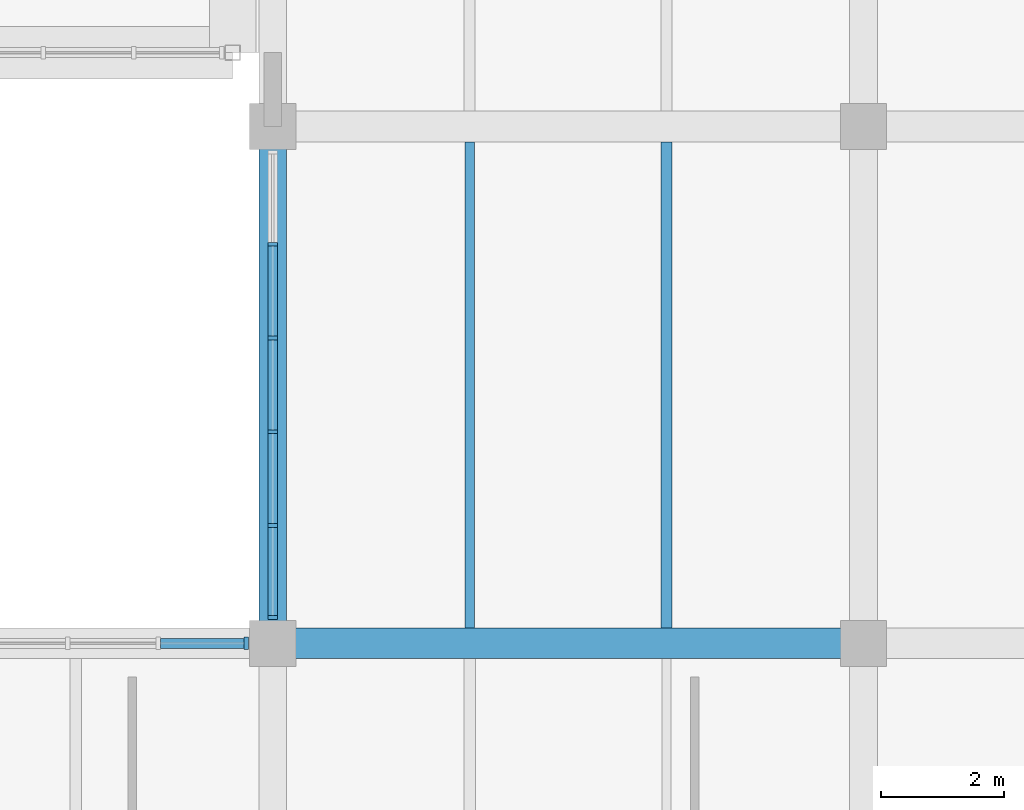
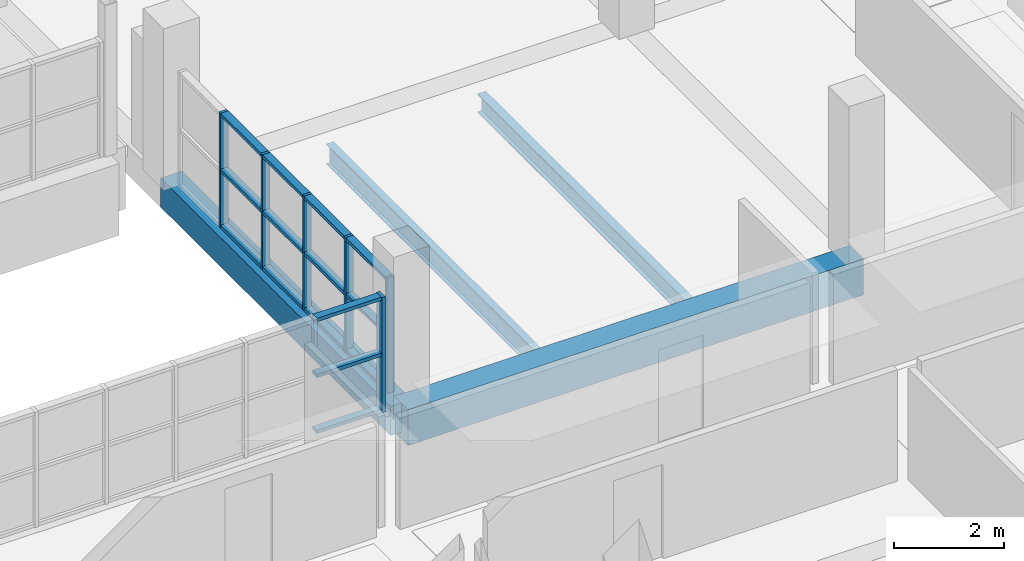
# One storey, part 56 of 147: 21 members, 4 beams, 2 elements without a shape of their own.
"""IFC4 building model written with IfcOpenShell, lengths in metres."""

import ifcopenshell
import ifcopenshell.guid

model = None  # the IFC model being written
_history = None  # IfcOwnerHistory: only IFC2X3 demands one
_inside = {}  # id of a spatial element -> (the spatial element, [elements in it])
_under = {}  # id of a project, library or spatial element -> (it, [spatial elements below it])
_declared = {}  # id of a project -> (the project, [libraries it declares])
_typed = {}  # id of a type object -> (the type object, [elements of that type])
_made_of = {}  # id of a material, layer set ... -> (it, [elements and type objects made of it])


def new_model(schema):
    """Start an empty IFC model of exactly this schema.

    Asked for "IFC4X3", IfcOpenShell would pick the latest addendum, in which some entities
    have other attributes; the version numbers below select the first issue.
    IFC2X3 requires an IfcOwnerHistory on every rooted entity: one is made here for all.
    """
    global model, _history
    if schema == "IFC4X3":
        model = ifcopenshell.file(schema_version=(4, 3, 0, 0))
    else:
        model = ifcopenshell.file(schema=schema)
    _inside.clear()
    _under.clear()
    _declared.clear()
    _typed.clear()
    _made_of.clear()
    _history = None
    if model.schema == "IFC2X3":
        org = make("IfcOrganization", Name="unknown")
        user = make(
            "IfcPersonAndOrganization",
            ThePerson=make("IfcPerson", FamilyName="unknown"),
            TheOrganization=org,
        )
        app = make(
            "IfcApplication",
            ApplicationDeveloper=org,
            Version="unknown",
            ApplicationFullName="unknown",
            ApplicationIdentifier="unknown",
        )
        _history = make(
            "IfcOwnerHistory",
            OwningUser=user,
            OwningApplication=app,
            ChangeAction="ADDED",
            CreationDate=0,
        )
    return model


def make(cls, **values):
    """One entity of the class cls with the attributes given. An attribute that is None is left unset."""
    return model.create_entity(
        cls, **{name: value for name, value in values.items() if value is not None}
    )


def rooted(cls, **values):
    """An entity with a GlobalId (a new one), such as an element, a storey or a relation."""
    return make(cls, GlobalId=ifcopenshell.guid.new(), OwnerHistory=_history, **values)


def si_unit(unit_type, name, prefix=None):
    """IfcSIUnit, for example si_unit("LENGTHUNIT", "METRE", prefix="MILLI")."""
    return make("IfcSIUnit", UnitType=unit_type, Prefix=prefix, Name=name)


def assignment(units):
    """IfcUnitAssignment: the units of a project."""
    return None if units is None else make("IfcUnitAssignment", Units=units)


def point(xyz):
    """IfcCartesianPoint."""
    return None if xyz is None else make("IfcCartesianPoint", Coordinates=xyz)


def direction(xyz):
    """IfcDirection."""
    return None if xyz is None else make("IfcDirection", DirectionRatios=xyz)


def frame(location, z_axis=None, x_axis=None):
    """IfcAxis2Placement3D, a coordinate frame: its origin and axes. An axis left out is left unset."""
    return make(
        "IfcAxis2Placement3D",
        Location=point(location),
        Axis=direction(z_axis),
        RefDirection=direction(x_axis),
    )


def frame_2d(location, x_axis=None):
    """IfcAxis2Placement2D, a coordinate frame in the plane: its origin and x axis."""
    return make(
        "IfcAxis2Placement2D", Location=point(location), RefDirection=direction(x_axis)
    )


def origin():
    """The frame at (0, 0, 0) with its axes left unset."""
    return frame((0.0, 0.0, 0.0))


def origin_2d():
    """The frame at (0, 0) in the plane with its x axis left unset."""
    return frame_2d((0.0, 0.0))


def place(relative_to, where):
    """IfcLocalPlacement: puts the frame where relative to a parent placement (None: the world)."""
    return make(
        "IfcLocalPlacement", PlacementRelTo=relative_to, RelativePlacement=where
    )


def context(
    kind, dimensions, precision=None, world=None, true_north=None, identifier=None
):
    """IfcGeometricRepresentationContext, for example the 3D "Model" context."""
    return make(
        "IfcGeometricRepresentationContext",
        ContextIdentifier=identifier,
        ContextType=kind,
        CoordinateSpaceDimension=dimensions,
        Precision=precision,
        WorldCoordinateSystem=world,
        TrueNorth=true_north,
    )


def subcontext(parent, identifier, kind, view, scale=None):
    """IfcGeometricRepresentationSubContext, for example "Body" below "Model"."""
    return make(
        "IfcGeometricRepresentationSubContext",
        ContextIdentifier=identifier,
        ContextType=kind,
        ParentContext=parent,
        TargetScale=scale,
        TargetView=view,
    )


def project(units=None, contexts=None):
    """IfcProject with its units and contexts."""
    return rooted(
        "IfcProject",
        Name="project",
        RepresentationContexts=contexts,
        UnitsInContext=assignment(units),
    )


def spatial(cls, under=None, at=None, **own):
    """A site, building, storey or space (cls), placed at a placement, below another one or the project."""
    s = rooted(cls, ObjectPlacement=at, **own)
    if under is not None:
        _under.setdefault(under.id(), (under, []))[1].append(s)
    return s


def profile(cls, at=None, kind="AREA", **sizes):
    """A parametric profile (cls). Its sizes go by their IFC names, for example OverallWidth=200.0."""
    return make(cls, ProfileType=kind, Position=at, **sizes)


def rectangle(**sizes):
    """IfcRectangleProfileDef."""
    return profile("IfcRectangleProfileDef", **sizes)


def i_section(**sizes):
    """IfcIShapeProfileDef."""
    return profile("IfcIShapeProfileDef", **sizes)


def extrude(swept, where, along, depth):
    """IfcExtrudedAreaSolid: the profile swept, set in the frame where, extruded along a direction by depth."""
    return make(
        "IfcExtrudedAreaSolid",
        SweptArea=swept,
        Position=where,
        ExtrudedDirection=direction(along),
        Depth=depth,
    )


def shape(context_of_items, identifier, shape_type, items):
    """IfcShapeRepresentation: the items that make up one representation, for example the "Body"."""
    return make(
        "IfcShapeRepresentation",
        ContextOfItems=context_of_items,
        RepresentationIdentifier=identifier,
        RepresentationType=shape_type,
        Items=items,
    )


def material(Name=None, Category=None):
    """IfcMaterial."""
    return make("IfcMaterial", Name=Name, Category=Category)


def material_profile(
    of_material, cross_section, Name=None, Category=None, Priority=None
):
    """IfcMaterialProfile: a cross section and its material."""
    return make(
        "IfcMaterialProfile",
        Name=Name,
        Material=of_material,
        Profile=cross_section,
        Priority=Priority,
        Category=Category,
    )


def profile_set(profiles, Name=None, composite=None):
    """IfcMaterialProfileSet."""
    return make(
        "IfcMaterialProfileSet",
        Name=Name,
        MaterialProfiles=profiles,
        CompositeProfile=composite,
    )


def made_of(thing, what):
    """Note that an element or type object is made of a material, layer set ...; save() writes the relation."""
    if what is not None:
        _made_of.setdefault(what.id(), (what, []))[1].append(thing)
    return thing


def type_object(cls, material=None, **own):
    """A type object (cls), such as IfcWallType, which elements share."""
    return made_of(rooted(cls, **own), material)


def element(
    cls,
    number,
    at=None,
    inside=None,
    cuts=None,
    type_object=None,
    material=None,
    context=None,
    identifier="Body",
    shape_type=None,
    held_by="IfcProductDefinitionShape",
    body=None,
    shapes=None,
    **own,
):
    """One element of the class cls, such as IfcWall. Its Tag is "e" and its number.

    at: its placement. inside: the storey or other place that contains it. cuts: it is an
    opening in that element (IfcRelVoidsElement). A single representation is given by context,
    identifier, shape_type and body (its items); several are given by shapes. held_by: the class
    of the entity that holds the representations. save() writes the other relations.
    """
    e = rooted(cls, Tag="e%d" % number, ObjectPlacement=at, **own)
    if body is not None:
        shapes = [shape(context, identifier, shape_type, body)]
    if shapes is not None:
        e.Representation = make(held_by, Representations=shapes)
    if inside is not None:
        _inside.setdefault(inside.id(), (inside, []))[1].append(e)
    if cuts is not None:
        rooted(
            "IfcRelVoidsElement", RelatingBuildingElement=cuts, RelatedOpeningElement=e
        )
    if type_object is not None:
        _typed.setdefault(type_object.id(), (type_object, []))[1].append(e)
    return made_of(e, material)


def aggregate(whole, parts):
    """IfcRelAggregates: a whole, such as a stair, and the parts it consists of."""
    return rooted("IfcRelAggregates", RelatingObject=whole, RelatedObjects=parts)


def save(model, path):
    """Write the relations noted so far, then the file.

    IfcRelAggregates (storeys below a building ...), IfcRelContainedInSpatialStructure (elements
    in a storey), IfcRelDefinesByType, IfcRelAssociatesMaterial and IfcRelDeclares: one each for
    every whole, place, type object, material and project.
    """
    for whole, parts in _under.values():
        aggregate(whole, parts)
    for where, things in _inside.values():
        rooted(
            "IfcRelContainedInSpatialStructure",
            RelatedElements=things,
            RelatingStructure=where,
        )
    for kind, things in _typed.values():
        rooted("IfcRelDefinesByType", RelatedObjects=things, RelatingType=kind)
    for what, things in _made_of.values():
        rooted("IfcRelAssociatesMaterial", RelatedObjects=things, RelatingMaterial=what)
    for by, libraries in _declared.values():
        rooted("IfcRelDeclares", RelatingContext=by, RelatedDefinitions=libraries)
    model.write(path)


model = new_model("IFC4")

# Units and contexts
model_context = context("Model", 3, precision=1e-05, world=origin(), true_north=direction((0.0, 1.0)))
body_context = subcontext(model_context, "Body", "Model", "MODEL_VIEW")
ifc_project = project(units=[si_unit("LENGTHUNIT", "METRE"), si_unit("AREAUNIT", "SQUARE_METRE"), si_unit("VOLUMEUNIT", "CUBIC_METRE"), si_unit("PLANEANGLEUNIT", "RADIAN"), si_unit("MASSUNIT", "GRAM", prefix="KILO")], contexts=[model_context])

# Site, building, storey
site_placement = place(None, origin())
site = spatial("IfcSite", under=ifc_project, at=site_placement, CompositionType="ELEMENT")
building_placement = place(site_placement, origin())
building = spatial("IfcBuilding", under=site, at=building_placement, Name="Oolite Switchyard Hospital", CompositionType="ELEMENT")
storey_placement = place(building_placement, frame((0.0, 0.0, 9.89990234375)))
storey = spatial("IfcBuildingStorey", under=building, at=storey_placement, Name="L02", CompositionType="ELEMENT", Elevation=9.89990234375)

# Beams
ifc_material_1 = material(Name="Concrete C40/50", Category="concrete")
ifc_material_profile_1 = material_profile(ifc_material_1, rectangle(XDim=0.449951171875, YDim=0.64990234375, at=origin_2d()), Name="RCB450X650")
ifc_profile_set_1 = profile_set([ifc_material_profile_1], Name="Concrete C40/50")
beam_type_1 = type_object("IfcBeamType", Name="BM-RC450X650", PredefinedType="BEAM", material=ifc_profile_set_1)
beam_1_placement = place(storey_placement, frame((182.39990234375, 25.199951171875, -0.324951171875), z_axis=(0.0, 1.0, 0.0), x_axis=(-1.0, 0.0, 0.0)))
element("IfcBeam", 1, at=beam_1_placement, inside=storey, type_object=beam_type_1, Name="L02 Y-Girder 1469", PredefinedType="BEAM", context=body_context, shape_type="SweptSolid", body=[
    extrude(rectangle(XDim=0.449951171875, YDim=0.64990234375, at=origin_2d()), origin(), (0.0, 0.0, 1.0), 8.400146484375),
])
ifc_material_profile_2 = material_profile(ifc_material_1, rectangle(XDim=0.5, YDim=0.800048828125, at=origin_2d()), Name="RCB500X800")
ifc_profile_set_2 = profile_set([ifc_material_profile_2], Name="Concrete C40/50")
beam_type_2 = type_object("IfcBeamType", Name="BM-RC500X800", PredefinedType="BEAM", material=ifc_profile_set_2)
beam_2_placement = place(storey_placement, frame((182.39990234375, 25.199951171875, -0.39990234375), z_axis=(1.0, 0.0, 0.0), x_axis=(0.0, 1.0, 0.0)))
element("IfcBeam", 2, at=beam_2_placement, inside=storey, type_object=beam_type_2, Name="L02 X-Girder 1031", PredefinedType="BEAM", context=body_context, shape_type="SweptSolid", body=[
    extrude(rectangle(XDim=0.5, YDim=0.800048828125, at=origin_2d()), origin(), (0.0, 0.0, 1.0), 9.60009765625),
])
ifc_material_2 = material(Name="Steel ASTM A992 Grade 50", Category="steel")
ifc_material_profile_3 = material_profile(ifc_material_2, i_section(OverallWidth=0.179931640625, OverallDepth=0.4130859375, WebThickness=0.010009765625, FlangeThickness=0.01611328125, at=origin_2d()), Name="W16X50")
ifc_profile_set_3 = profile_set([ifc_material_profile_3], Name="Steel ASTM A992 Grade 50")
beam_type_3 = type_object("IfcBeamType", Name="BM-W16X50", PredefinedType="JOIST", material=ifc_profile_set_3)
beam_3_placement = place(storey_placement, frame((188.800048828125, 25.449951171875, -0.4658203125), z_axis=(0.0, 1.0, 0.0), x_axis=(-1.0, 0.0, 0.0)))
element("IfcBeam", 3, at=beam_3_placement, inside=storey, type_object=beam_type_3, Name="L02 Secondary Steel Joist 1871", PredefinedType="JOIST", context=body_context, shape_type="SweptSolid", body=[
    extrude(i_section(OverallWidth=0.179931640625, OverallDepth=0.4130859375, WebThickness=0.010009765625, FlangeThickness=0.01611328125, at=origin_2d()), origin(), (0.0, 0.0, 1.0), 7.900146484375),
])
ifc_material_profile_4 = material_profile(ifc_material_2, i_section(OverallWidth=0.153076171875, OverallDepth=0.455078125, WebThickness=0.008056640625, FlangeThickness=0.012939453125, at=origin_2d()), Name="W18X40")
ifc_profile_set_4 = profile_set([ifc_material_profile_4], Name="Steel ASTM A992 Grade 50")
beam_type_4 = type_object("IfcBeamType", Name="BM-W18X40", PredefinedType="JOIST", material=ifc_profile_set_4)
beam_4_placement = place(storey_placement, frame((185.60009765625, 25.449951171875, -0.48681640625), z_axis=(0.0, 1.0, 0.0), x_axis=(-1.0, 0.0, 0.0)))
element("IfcBeam", 4, at=beam_4_placement, inside=storey, type_object=beam_type_4, Name="L02 Secondary Steel Joist 1870", PredefinedType="JOIST", context=body_context, shape_type="SweptSolid", body=[
    extrude(i_section(OverallWidth=0.153076171875, OverallDepth=0.455078125, WebThickness=0.008056640625, FlangeThickness=0.012939453125, at=origin_2d()), origin(), (0.0, 0.0, 1.0), 7.900146484375),
])

# Curtain wall, members
ifc_material_3 = material(Name="Thermally broken aluminum frame with laminated impact glazing", Category="aluminium")
curtain_wall_type_1 = type_object("IfcCurtainWallType", Name="CW-UNIT-84X36", PredefinedType="USERDEFINED", material=ifc_material_3)
curtain_wall_1_placement = place(storey_placement, origin())
curtain_wall_1 = element("IfcCurtainWall", 5, at=curtain_wall_1_placement, inside=storey, type_object=curtain_wall_type_1, Name="L02 Unitised Curtain Wall 307", ObjectType="UNITISED", PredefinedType="USERDEFINED")
ifc_material_4 = material(Name="Aluminium 6063-T6", Category="aluminium")
ifc_material_profile_5 = material_profile(ifc_material_4, rectangle(XDim=0.159912109375, YDim=0.06005859375, at=origin_2d()), Name="CWM60X160")
ifc_profile_set_5 = profile_set([ifc_material_profile_5], Name="Aluminium 6063-T6")
member_type_1 = type_object("IfcMemberType", Name="CW-MUL-180", PredefinedType="MULLION", material=ifc_profile_set_5)
member_1_placement = place(storey_placement, frame((182.39990234375, 25.6201171875, 0.0), z_axis=(0.0, 0.0, 1.0), x_axis=(-1.0, 0.0, 0.0)))
member_1 = element("IfcMember", 6, at=member_1_placement, type_object=member_type_1, Name="CW-08 mullion 1", PredefinedType="MULLION", context=body_context, shape_type="SweptSolid", body=[
    extrude(rectangle(XDim=0.159912109375, YDim=0.06005859375, at=origin_2d()), origin(), (0.0, 0.0, 1.0), 2.570068359375),
])
member_2_placement = place(storey_placement, frame((182.39990234375, 27.114013671875, 0.0), z_axis=(0.0, 0.0, 1.0), x_axis=(-1.0, 0.0, 0.0)))
member_2 = element("IfcMember", 7, at=member_2_placement, type_object=member_type_1, Name="CW-08 mullion 2", PredefinedType="MULLION", context=body_context, shape_type="SweptSolid", body=[
    extrude(rectangle(XDim=0.159912109375, YDim=0.06005859375, at=origin_2d()), origin(), (0.0, 0.0, 1.0), 2.570068359375),
])
member_3_placement = place(storey_placement, frame((182.39990234375, 28.637939453125, 0.0), z_axis=(0.0, 0.0, 1.0), x_axis=(-1.0, 0.0, 0.0)))
member_3 = element("IfcMember", 8, at=member_3_placement, type_object=member_type_1, Name="CW-08 mullion 3", PredefinedType="MULLION", context=body_context, shape_type="SweptSolid", body=[
    extrude(rectangle(XDim=0.159912109375, YDim=0.06005859375, at=origin_2d()), origin(), (0.0, 0.0, 1.0), 2.570068359375),
])
member_4_placement = place(storey_placement, frame((182.39990234375, 30.162109375, 0.0), z_axis=(0.0, 0.0, 1.0), x_axis=(-1.0, 0.0, 0.0)))
member_4 = element("IfcMember", 9, at=member_4_placement, type_object=member_type_1, Name="CW-08 mullion 4", PredefinedType="MULLION", context=body_context, shape_type="SweptSolid", body=[
    extrude(rectangle(XDim=0.159912109375, YDim=0.06005859375, at=origin_2d()), origin(), (0.0, 0.0, 1.0), 2.570068359375),
])
member_5_placement = place(storey_placement, frame((182.39990234375, 31.68603515625, 0.0), z_axis=(0.0, 0.0, 1.0), x_axis=(-1.0, 0.0, 0.0)))
member_5 = element("IfcMember", 10, at=member_5_placement, type_object=member_type_1, Name="CW-08 mullion 5", PredefinedType="MULLION", context=body_context, shape_type="SweptSolid", body=[
    extrude(rectangle(XDim=0.159912109375, YDim=0.06005859375, at=origin_2d()), origin(), (0.0, 0.0, 1.0), 2.570068359375),
])

curtain_wall_type_2 = type_object("IfcCurtainWallType", Name="CW-UNIT-96X36", PredefinedType="USERDEFINED", material=ifc_material_3)
curtain_wall_2_placement = place(storey_placement, origin())
curtain_wall_2 = element("IfcCurtainWall", 11, at=curtain_wall_2_placement, inside=storey, type_object=curtain_wall_type_2, Name="L02 Unitised Curtain Wall 219", ObjectType="UNITISED", PredefinedType="USERDEFINED")
ifc_material_profile_6 = material_profile(ifc_material_4, rectangle(XDim=0.199951171875, YDim=0.074951171875, at=origin_2d()), Name="CWM75X200")
ifc_profile_set_6 = profile_set([ifc_material_profile_6], Name="Aluminium 6063-T6")
member_type_2 = type_object("IfcMemberType", Name="CW-MUL-260", PredefinedType="MULLION", material=ifc_profile_set_6)
member_6_placement = place(storey_placement, frame((181.972412109375, 25.199951171875, 0.0), z_axis=(0.0, 0.0, 1.0), x_axis=(0.0, 1.0, 0.0)))
member_6 = element("IfcMember", 12, at=member_6_placement, type_object=member_type_2, Name="CW-03 mullion 7", PredefinedType="MULLION", context=body_context, shape_type="SweptSolid", body=[
    extrude(rectangle(XDim=0.199951171875, YDim=0.074951171875, at=origin_2d()), origin(), (0.0, 0.0, 1.0), 2.570068359375),
])
ifc_material_profile_7 = material_profile(ifc_material_4, rectangle(XDim=0.159912109375, YDim=0.074951171875, at=origin_2d()), Name="CWT75X160")
ifc_profile_set_7 = profile_set([ifc_material_profile_7], Name="Aluminium 6063-T6")
member_type_3 = type_object("IfcMemberType", Name="CW-TRN-180", PredefinedType="USERDEFINED", material=ifc_profile_set_7)
member_7_placement = place(storey_placement, frame((180.577392578125, 25.199951171875, 0.03759765625), z_axis=(1.0, 0.0, 0.0), x_axis=(0.0, 1.0, 0.0)))
member_7 = element("IfcMember", 13, at=member_7_placement, type_object=member_type_3, Name="CW-03 transom 6.1", ObjectType="TRANSOM", PredefinedType="USERDEFINED", context=body_context, shape_type="SweptSolid", body=[
    extrude(rectangle(XDim=0.159912109375, YDim=0.074951171875, at=origin_2d()), origin(), (0.0, 0.0, 1.0), 1.357666015625),
])
member_8_placement = place(storey_placement, frame((180.577392578125, 25.199951171875, 1.28515625), z_axis=(1.0, 0.0, 0.0), x_axis=(0.0, 1.0, 0.0)))
member_8 = element("IfcMember", 14, at=member_8_placement, type_object=member_type_3, Name="CW-03 transom 6.2", ObjectType="TRANSOM", PredefinedType="USERDEFINED", context=body_context, shape_type="SweptSolid", body=[
    extrude(rectangle(XDim=0.159912109375, YDim=0.074951171875, at=origin_2d()), origin(), (0.0, 0.0, 1.0), 1.357666015625),
])
member_9_placement = place(storey_placement, frame((180.577392578125, 25.199951171875, 2.53271484375), z_axis=(1.0, 0.0, 0.0), x_axis=(0.0, 1.0, 0.0)))
member_9 = element("IfcMember", 15, at=member_9_placement, type_object=member_type_3, Name="CW-03 transom 6.3", ObjectType="TRANSOM", PredefinedType="USERDEFINED", context=body_context, shape_type="SweptSolid", body=[
    extrude(rectangle(XDim=0.159912109375, YDim=0.074951171875, at=origin_2d()), origin(), (0.0, 0.0, 1.0), 1.357666015625),
])
aggregate(curtain_wall_2, [member_6, member_7, member_8, member_9])

# Member
member_10_placement = place(storey_placement, frame((182.39990234375, 25.64990234375, 0.03759765625), z_axis=(0.0, 1.0, 0.0), x_axis=(-1.0, 0.0, 0.0)))
member_10 = element("IfcMember", 16, at=member_10_placement, type_object=member_type_3, Name="CW-08 transom 1.1", ObjectType="TRANSOM", PredefinedType="USERDEFINED", context=body_context, shape_type="SweptSolid", body=[
    extrude(rectangle(XDim=0.159912109375, YDim=0.074951171875, at=origin_2d()), origin(), (0.0, 0.0, 1.0), 1.43408203125),
])

member_11_placement = place(storey_placement, frame((182.39990234375, 25.64990234375, 1.28515625), z_axis=(0.0, 1.0, 0.0), x_axis=(-1.0, 0.0, 0.0)))
member_11 = element("IfcMember", 17, at=member_11_placement, type_object=member_type_3, Name="CW-08 transom 1.2", ObjectType="TRANSOM", PredefinedType="USERDEFINED", context=body_context, shape_type="SweptSolid", body=[
    extrude(rectangle(XDim=0.159912109375, YDim=0.074951171875, at=origin_2d()), origin(), (0.0, 0.0, 1.0), 1.43408203125),
])

member_12_placement = place(storey_placement, frame((182.39990234375, 25.64990234375, 2.53271484375), z_axis=(0.0, 1.0, 0.0), x_axis=(-1.0, 0.0, 0.0)))
member_12 = element("IfcMember", 18, at=member_12_placement, type_object=member_type_3, Name="CW-08 transom 1.3", ObjectType="TRANSOM", PredefinedType="USERDEFINED", context=body_context, shape_type="SweptSolid", body=[
    extrude(rectangle(XDim=0.159912109375, YDim=0.074951171875, at=origin_2d()), origin(), (0.0, 0.0, 1.0), 1.43408203125),
])

member_13_placement = place(storey_placement, frame((182.39990234375, 27.14404296875, 0.03759765625), z_axis=(0.0, 1.0, 0.0), x_axis=(-1.0, 0.0, 0.0)))
member_13 = element("IfcMember", 19, at=member_13_placement, type_object=member_type_3, Name="CW-08 transom 2.1", ObjectType="TRANSOM", PredefinedType="USERDEFINED", context=body_context, shape_type="SweptSolid", body=[
    extrude(rectangle(XDim=0.159912109375, YDim=0.074951171875, at=origin_2d()), origin(), (0.0, 0.0, 1.0), 1.4638671875),
])

member_14_placement = place(storey_placement, frame((182.39990234375, 27.14404296875, 1.28515625), z_axis=(0.0, 1.0, 0.0), x_axis=(-1.0, 0.0, 0.0)))
member_14 = element("IfcMember", 20, at=member_14_placement, type_object=member_type_3, Name="CW-08 transom 2.2", ObjectType="TRANSOM", PredefinedType="USERDEFINED", context=body_context, shape_type="SweptSolid", body=[
    extrude(rectangle(XDim=0.159912109375, YDim=0.074951171875, at=origin_2d()), origin(), (0.0, 0.0, 1.0), 1.4638671875),
])

member_15_placement = place(storey_placement, frame((182.39990234375, 27.14404296875, 2.53271484375), z_axis=(0.0, 1.0, 0.0), x_axis=(-1.0, 0.0, 0.0)))
member_15 = element("IfcMember", 21, at=member_15_placement, type_object=member_type_3, Name="CW-08 transom 2.3", ObjectType="TRANSOM", PredefinedType="USERDEFINED", context=body_context, shape_type="SweptSolid", body=[
    extrude(rectangle(XDim=0.159912109375, YDim=0.074951171875, at=origin_2d()), origin(), (0.0, 0.0, 1.0), 1.4638671875),
])

member_16_placement = place(storey_placement, frame((182.39990234375, 28.66796875, 0.03759765625), z_axis=(0.0, 1.0, 0.0), x_axis=(-1.0, 0.0, 0.0)))
member_16 = element("IfcMember", 22, at=member_16_placement, type_object=member_type_3, Name="CW-08 transom 3.1", ObjectType="TRANSOM", PredefinedType="USERDEFINED", context=body_context, shape_type="SweptSolid", body=[
    extrude(rectangle(XDim=0.159912109375, YDim=0.074951171875, at=origin_2d()), origin(), (0.0, 0.0, 1.0), 1.464111328125),
])

member_17_placement = place(storey_placement, frame((182.39990234375, 28.66796875, 1.28515625), z_axis=(0.0, 1.0, 0.0), x_axis=(-1.0, 0.0, 0.0)))
member_17 = element("IfcMember", 23, at=member_17_placement, type_object=member_type_3, Name="CW-08 transom 3.2", ObjectType="TRANSOM", PredefinedType="USERDEFINED", context=body_context, shape_type="SweptSolid", body=[
    extrude(rectangle(XDim=0.159912109375, YDim=0.074951171875, at=origin_2d()), origin(), (0.0, 0.0, 1.0), 1.464111328125),
])

member_18_placement = place(storey_placement, frame((182.39990234375, 28.66796875, 2.53271484375), z_axis=(0.0, 1.0, 0.0), x_axis=(-1.0, 0.0, 0.0)))
member_18 = element("IfcMember", 24, at=member_18_placement, type_object=member_type_3, Name="CW-08 transom 3.3", ObjectType="TRANSOM", PredefinedType="USERDEFINED", context=body_context, shape_type="SweptSolid", body=[
    extrude(rectangle(XDim=0.159912109375, YDim=0.074951171875, at=origin_2d()), origin(), (0.0, 0.0, 1.0), 1.464111328125),
])

member_19_placement = place(storey_placement, frame((182.39990234375, 30.19189453125, 0.03759765625), z_axis=(0.0, 1.0, 0.0), x_axis=(-1.0, 0.0, 0.0)))
member_19 = element("IfcMember", 25, at=member_19_placement, type_object=member_type_3, Name="CW-08 transom 4.1", ObjectType="TRANSOM", PredefinedType="USERDEFINED", context=body_context, shape_type="SweptSolid", body=[
    extrude(rectangle(XDim=0.159912109375, YDim=0.074951171875, at=origin_2d()), origin(), (0.0, 0.0, 1.0), 1.464111328125),
])

member_20_placement = place(storey_placement, frame((182.39990234375, 30.19189453125, 1.28515625), z_axis=(0.0, 1.0, 0.0), x_axis=(-1.0, 0.0, 0.0)))
member_20 = element("IfcMember", 26, at=member_20_placement, type_object=member_type_3, Name="CW-08 transom 4.2", ObjectType="TRANSOM", PredefinedType="USERDEFINED", context=body_context, shape_type="SweptSolid", body=[
    extrude(rectangle(XDim=0.159912109375, YDim=0.074951171875, at=origin_2d()), origin(), (0.0, 0.0, 1.0), 1.464111328125),
])

member_21_placement = place(storey_placement, frame((182.39990234375, 30.19189453125, 2.53271484375), z_axis=(0.0, 1.0, 0.0), x_axis=(-1.0, 0.0, 0.0)))
member_21 = element("IfcMember", 27, at=member_21_placement, type_object=member_type_3, Name="CW-08 transom 4.3", ObjectType="TRANSOM", PredefinedType="USERDEFINED", context=body_context, shape_type="SweptSolid", body=[
    extrude(rectangle(XDim=0.159912109375, YDim=0.074951171875, at=origin_2d()), origin(), (0.0, 0.0, 1.0), 1.464111328125),
])

aggregate(curtain_wall_1, [member_1, member_2, member_3, member_4, member_5, member_10, member_11, member_12, member_13, member_14, member_15, member_16, member_17, member_18, member_19, member_20, member_21])

save(model, "model.ifc")
